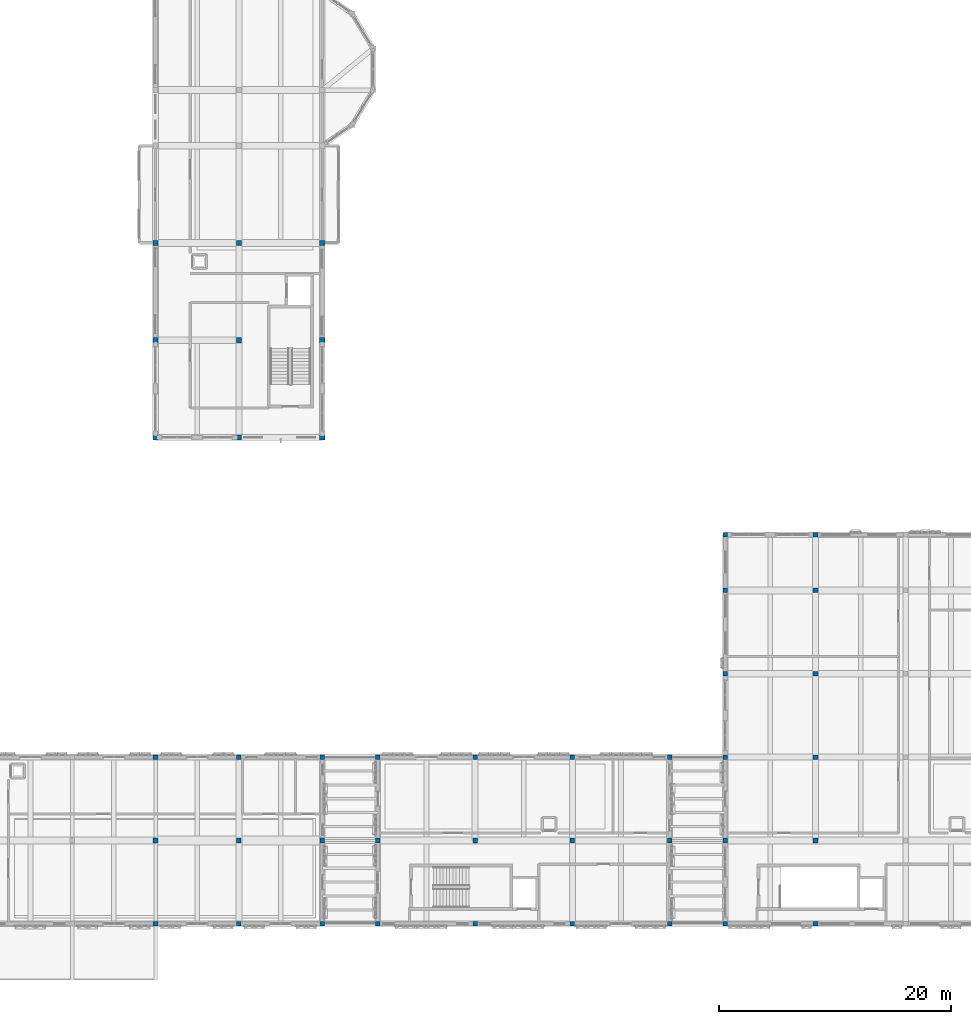
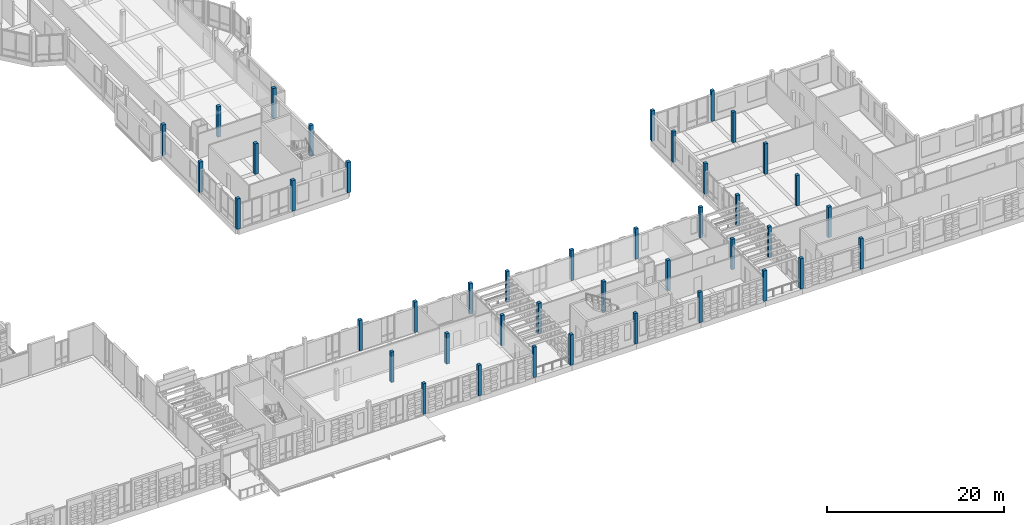
# One storey, part 5 of 99: 42 columns.
"""IFC4 building model written with IfcOpenShell, lengths in metres."""

import ifcopenshell
import ifcopenshell.guid

model = None  # the IFC model being written
_history = None  # IfcOwnerHistory: only IFC2X3 demands one
_inside = {}  # id of a spatial element -> (the spatial element, [elements in it])
_under = {}  # id of a project, library or spatial element -> (it, [spatial elements below it])
_declared = {}  # id of a project -> (the project, [libraries it declares])
_typed = {}  # id of a type object -> (the type object, [elements of that type])
_made_of = {}  # id of a material, layer set ... -> (it, [elements and type objects made of it])


def new_model(schema):
    """Start an empty IFC model of exactly this schema.

    Asked for "IFC4X3", IfcOpenShell would pick the latest addendum, in which some entities
    have other attributes; the version numbers below select the first issue.
    IFC2X3 requires an IfcOwnerHistory on every rooted entity: one is made here for all.
    """
    global model, _history
    if schema == "IFC4X3":
        model = ifcopenshell.file(schema_version=(4, 3, 0, 0))
    else:
        model = ifcopenshell.file(schema=schema)
    _inside.clear()
    _under.clear()
    _declared.clear()
    _typed.clear()
    _made_of.clear()
    _history = None
    if model.schema == "IFC2X3":
        org = make("IfcOrganization", Name="unknown")
        user = make(
            "IfcPersonAndOrganization",
            ThePerson=make("IfcPerson", FamilyName="unknown"),
            TheOrganization=org,
        )
        app = make(
            "IfcApplication",
            ApplicationDeveloper=org,
            Version="unknown",
            ApplicationFullName="unknown",
            ApplicationIdentifier="unknown",
        )
        _history = make(
            "IfcOwnerHistory",
            OwningUser=user,
            OwningApplication=app,
            ChangeAction="ADDED",
            CreationDate=0,
        )
    return model


def make(cls, **values):
    """One entity of the class cls with the attributes given. An attribute that is None is left unset."""
    return model.create_entity(
        cls, **{name: value for name, value in values.items() if value is not None}
    )


def rooted(cls, **values):
    """An entity with a GlobalId (a new one), such as an element, a storey or a relation."""
    return make(cls, GlobalId=ifcopenshell.guid.new(), OwnerHistory=_history, **values)


def si_unit(unit_type, name, prefix=None):
    """IfcSIUnit, for example si_unit("LENGTHUNIT", "METRE", prefix="MILLI")."""
    return make("IfcSIUnit", UnitType=unit_type, Prefix=prefix, Name=name)


def assignment(units):
    """IfcUnitAssignment: the units of a project."""
    return None if units is None else make("IfcUnitAssignment", Units=units)


def point(xyz):
    """IfcCartesianPoint."""
    return None if xyz is None else make("IfcCartesianPoint", Coordinates=xyz)


def direction(xyz):
    """IfcDirection."""
    return None if xyz is None else make("IfcDirection", DirectionRatios=xyz)


def frame(location, z_axis=None, x_axis=None):
    """IfcAxis2Placement3D, a coordinate frame: its origin and axes. An axis left out is left unset."""
    return make(
        "IfcAxis2Placement3D",
        Location=point(location),
        Axis=direction(z_axis),
        RefDirection=direction(x_axis),
    )


def frame_2d(location, x_axis=None):
    """IfcAxis2Placement2D, a coordinate frame in the plane: its origin and x axis."""
    return make(
        "IfcAxis2Placement2D", Location=point(location), RefDirection=direction(x_axis)
    )


def origin():
    """The frame at (0, 0, 0) with its axes left unset."""
    return frame((0.0, 0.0, 0.0))


def origin_2d():
    """The frame at (0, 0) in the plane with its x axis left unset."""
    return frame_2d((0.0, 0.0))


def place(relative_to, where):
    """IfcLocalPlacement: puts the frame where relative to a parent placement (None: the world)."""
    return make(
        "IfcLocalPlacement", PlacementRelTo=relative_to, RelativePlacement=where
    )


def context(
    kind, dimensions, precision=None, world=None, true_north=None, identifier=None
):
    """IfcGeometricRepresentationContext, for example the 3D "Model" context."""
    return make(
        "IfcGeometricRepresentationContext",
        ContextIdentifier=identifier,
        ContextType=kind,
        CoordinateSpaceDimension=dimensions,
        Precision=precision,
        WorldCoordinateSystem=world,
        TrueNorth=true_north,
    )


def subcontext(parent, identifier, kind, view, scale=None):
    """IfcGeometricRepresentationSubContext, for example "Body" below "Model"."""
    return make(
        "IfcGeometricRepresentationSubContext",
        ContextIdentifier=identifier,
        ContextType=kind,
        ParentContext=parent,
        TargetScale=scale,
        TargetView=view,
    )


def project(units=None, contexts=None):
    """IfcProject with its units and contexts."""
    return rooted(
        "IfcProject",
        Name="project",
        RepresentationContexts=contexts,
        UnitsInContext=assignment(units),
    )


def spatial(cls, under=None, at=None, **own):
    """A site, building, storey or space (cls), placed at a placement, below another one or the project."""
    s = rooted(cls, ObjectPlacement=at, **own)
    if under is not None:
        _under.setdefault(under.id(), (under, []))[1].append(s)
    return s


def profile(cls, at=None, kind="AREA", **sizes):
    """A parametric profile (cls). Its sizes go by their IFC names, for example OverallWidth=200.0."""
    return make(cls, ProfileType=kind, Position=at, **sizes)


def rectangle(**sizes):
    """IfcRectangleProfileDef."""
    return profile("IfcRectangleProfileDef", **sizes)


def extrude(swept, where, along, depth):
    """IfcExtrudedAreaSolid: the profile swept, set in the frame where, extruded along a direction by depth."""
    return make(
        "IfcExtrudedAreaSolid",
        SweptArea=swept,
        Position=where,
        ExtrudedDirection=direction(along),
        Depth=depth,
    )


def shape(context_of_items, identifier, shape_type, items):
    """IfcShapeRepresentation: the items that make up one representation, for example the "Body"."""
    return make(
        "IfcShapeRepresentation",
        ContextOfItems=context_of_items,
        RepresentationIdentifier=identifier,
        RepresentationType=shape_type,
        Items=items,
    )


def material(Name=None, Category=None):
    """IfcMaterial."""
    return make("IfcMaterial", Name=Name, Category=Category)


def material_profile(
    of_material, cross_section, Name=None, Category=None, Priority=None
):
    """IfcMaterialProfile: a cross section and its material."""
    return make(
        "IfcMaterialProfile",
        Name=Name,
        Material=of_material,
        Profile=cross_section,
        Priority=Priority,
        Category=Category,
    )


def profile_set(profiles, Name=None, composite=None):
    """IfcMaterialProfileSet."""
    return make(
        "IfcMaterialProfileSet",
        Name=Name,
        MaterialProfiles=profiles,
        CompositeProfile=composite,
    )


def made_of(thing, what):
    """Note that an element or type object is made of a material, layer set ...; save() writes the relation."""
    if what is not None:
        _made_of.setdefault(what.id(), (what, []))[1].append(thing)
    return thing


def type_object(cls, material=None, **own):
    """A type object (cls), such as IfcWallType, which elements share."""
    return made_of(rooted(cls, **own), material)


def element(
    cls,
    number,
    at=None,
    inside=None,
    cuts=None,
    type_object=None,
    material=None,
    context=None,
    identifier="Body",
    shape_type=None,
    held_by="IfcProductDefinitionShape",
    body=None,
    shapes=None,
    **own,
):
    """One element of the class cls, such as IfcWall. Its Tag is "e" and its number.

    at: its placement. inside: the storey or other place that contains it. cuts: it is an
    opening in that element (IfcRelVoidsElement). A single representation is given by context,
    identifier, shape_type and body (its items); several are given by shapes. held_by: the class
    of the entity that holds the representations. save() writes the other relations.
    """
    e = rooted(cls, Tag="e%d" % number, ObjectPlacement=at, **own)
    if body is not None:
        shapes = [shape(context, identifier, shape_type, body)]
    if shapes is not None:
        e.Representation = make(held_by, Representations=shapes)
    if inside is not None:
        _inside.setdefault(inside.id(), (inside, []))[1].append(e)
    if cuts is not None:
        rooted(
            "IfcRelVoidsElement", RelatingBuildingElement=cuts, RelatedOpeningElement=e
        )
    if type_object is not None:
        _typed.setdefault(type_object.id(), (type_object, []))[1].append(e)
    return made_of(e, material)


def aggregate(whole, parts):
    """IfcRelAggregates: a whole, such as a stair, and the parts it consists of."""
    return rooted("IfcRelAggregates", RelatingObject=whole, RelatedObjects=parts)


def save(model, path):
    """Write the relations noted so far, then the file.

    IfcRelAggregates (storeys below a building ...), IfcRelContainedInSpatialStructure (elements
    in a storey), IfcRelDefinesByType, IfcRelAssociatesMaterial and IfcRelDeclares: one each for
    every whole, place, type object, material and project.
    """
    for whole, parts in _under.values():
        aggregate(whole, parts)
    for where, things in _inside.values():
        rooted(
            "IfcRelContainedInSpatialStructure",
            RelatedElements=things,
            RelatingStructure=where,
        )
    for kind, things in _typed.values():
        rooted("IfcRelDefinesByType", RelatedObjects=things, RelatingType=kind)
    for what, things in _made_of.values():
        rooted("IfcRelAssociatesMaterial", RelatedObjects=things, RelatingMaterial=what)
    for by, libraries in _declared.values():
        rooted("IfcRelDeclares", RelatingContext=by, RelatedDefinitions=libraries)
    model.write(path)


model = new_model("IFC4")

# Units and contexts
model_context = context("Model", 3, precision=1e-05, world=origin(), true_north=direction((0.0, 1.0)))
body_context = subcontext(model_context, "Body", "Model", "MODEL_VIEW")
ifc_project = project(units=[si_unit("LENGTHUNIT", "METRE"), si_unit("AREAUNIT", "SQUARE_METRE"), si_unit("VOLUMEUNIT", "CUBIC_METRE"), si_unit("PLANEANGLEUNIT", "RADIAN"), si_unit("MASSUNIT", "GRAM", prefix="KILO")], contexts=[model_context])

# Site, building, storey
site_placement = place(None, origin())
site = spatial("IfcSite", under=ifc_project, at=site_placement, CompositionType="ELEMENT")
building_placement = place(site_placement, origin())
building = spatial("IfcBuilding", under=site, at=building_placement, Name="Kahlenmark Community Centre", CompositionType="ELEMENT")
storey_placement = place(building_placement, frame((0.0, 0.0, 5.39990234375)))
storey = spatial("IfcBuildingStorey", under=building, at=storey_placement, Name="L01", CompositionType="ELEMENT", Elevation=5.39990234375)

# Columns
ifc_material = material(Name="Glulam GL32h", Category="wood")
ifc_material_profile_1 = material_profile(ifc_material, rectangle(XDim=0.39990234375, YDim=0.39990234375, at=origin_2d()), Name="GL32h 400x400")
ifc_profile_set_1 = profile_set([ifc_material_profile_1], Name="Glulam GL32h")
column_type_1 = type_object("IfcColumnType", Name="CT-GL400", PredefinedType="COLUMN", material=ifc_profile_set_1)
for number, where, z_axis, x_axis, name in (
    (1, (72.39990234375, 8.800048828125, 0.0), (0.0, 0.0, 1.0), (1.0, 0.0, 0.0), "L01 column (72.4, 8.8)"),
    (2, (72.39990234375, 16.0, 0.0), (0.0, 0.0, 1.0), (1.0, 0.0, 0.0), "L01 column (72.4, 16.0)"),
    (3, (72.39990234375, 23.199951171875, 0.0), (0.0, 0.0, 1.0), (1.0, 0.0, 0.0), "L01 column (72.4, 23.2)"),
    (4, (79.60009765625, 8.800048828125, 0.0), (0.0, 0.0, 1.0), (1.0, 0.0, 0.0), "L01 column (79.6, 8.8)"),
    (5, (79.60009765625, 16.0, 0.0), (0.0, 0.0, 1.0), (1.0, 0.0, 0.0), "L01 column (79.6, 16.0)"),
    (6, (79.60009765625, 23.199951171875, 0.0), (0.0, 0.0, 1.0), (1.0, 0.0, 0.0), "L01 column (79.6, 23.2)"),
    (7, (86.800048828125, 8.800048828125, 0.0), (0.0, 0.0, 1.0), (1.0, 0.0, 0.0), "L01 column (86.8, 8.8)"),
    (8, (86.800048828125, 16.0, 0.0), (0.0, 0.0, 1.0), (1.0, 0.0, 0.0), "L01 column (86.8, 16.0)"),
    (9, (86.800048828125, 23.199951171875, 0.0), (0.0, 0.0, 1.0), (1.0, 0.0, 0.0), "L01 column (86.8, 23.2)"),
    (10, (91.60009765625, 8.800048828125, 0.0), (0.0, 0.0, 1.0), (1.0, 0.0, 0.0), "L01 column (91.6, 8.8)"),
    (11, (91.60009765625, 16.0, 0.0), (0.0, 0.0, 1.0), (1.0, 0.0, 0.0), "L01 column (91.6, 16.0)"),
    (12, (91.60009765625, 23.199951171875, 0.0), (0.0, 0.0, 1.0), (1.0, 0.0, 0.0), "L01 column (91.6, 23.2)"),
    (13, (100.0, 8.800048828125, 0.0), (0.0, 0.0, 1.0), (1.0, 0.0, 0.0), "L01 column (100.0, 8.8)"),
    (14, (100.0, 16.0, 0.0), (0.0, 0.0, 1.0), (1.0, 0.0, 0.0), "L01 column (100.0, 16.0)"),
    (15, (100.0, 23.199951171875, 0.0), (0.0, 0.0, 1.0), (1.0, 0.0, 0.0), "L01 column (100.0, 23.2)"),
    (16, (108.39990234375, 8.800048828125, 0.0), (0.0, 0.0, 1.0), (1.0, 0.0, 0.0), "L01 column (108.4, 8.8)"),
    (17, (108.39990234375, 16.0, 0.0), (0.0, 0.0, 1.0), (1.0, 0.0, 0.0), "L01 column (108.4, 16.0)"),
    (18, (108.39990234375, 23.199951171875, 0.0), (0.0, 0.0, 1.0), (1.0, 0.0, 0.0), "L01 column (108.4, 23.2)"),
    (19, (116.800048828125, 8.800048828125, 0.0), (0.0, 0.0, 1.0), (1.0, 0.0, 0.0), "L01 column (116.8, 8.8)"),
    (20, (116.800048828125, 16.0, 0.0), (0.0, 0.0, 1.0), (1.0, 0.0, 0.0), "L01 column (116.8, 16.0)"),
    (21, (116.800048828125, 23.199951171875, 0.0), (0.0, 0.0, 1.0), (1.0, 0.0, 0.0), "L01 column (116.8, 23.2)"),
    (22, (121.60009765625, 8.800048828125, 0.0), (0.0, 0.0, 1.0), (1.0, 0.0, 0.0), "L01 column (121.6, 8.8)"),
    (23, (121.60009765625, 16.0, 0.0), (0.0, 0.0, 1.0), (1.0, 0.0, 0.0), "L01 column (121.6, 16.0)"),
    (24, (121.60009765625, 23.199951171875, 0.0), (0.0, 0.0, 1.0), (1.0, 0.0, 0.0), "L01 column (121.6, 23.2)"),
    (25, (121.60009765625, 30.39990234375, 0.0), (0.0, 0.0, 1.0), (1.0, 0.0, 0.0), "L01 column (121.6, 30.4)"),
    (26, (121.60009765625, 37.60009765625, 0.0), (0.0, 0.0, 1.0), (1.0, 0.0, 0.0), "L01 column (121.6, 37.6)"),
    (27, (121.60009765625, 42.39990234375, 0.0), (0.0, 0.0, 1.0), (1.0, 0.0, 0.0), "L01 column (121.6, 42.4)"),
    (28, (129.39990234375, 8.800048828125, 0.0), (0.0, 0.0, 1.0), (1.0, 0.0, 0.0), "L01 column (129.4, 8.8)"),
    (29, (129.39990234375, 16.0, 0.0), (0.0, 0.0, 1.0), (1.0, 0.0, 0.0), "L01 column (129.4, 16.0)"),
    (30, (129.39990234375, 23.199951171875, 0.0), (0.0, 0.0, 1.0), (1.0, 0.0, 0.0), "L01 column (129.4, 23.2)"),
    (31, (129.39990234375, 30.39990234375, 0.0), (0.0, 0.0, 1.0), (1.0, 0.0, 0.0), "L01 column (129.4, 30.4)"),
    (32, (129.39990234375, 37.60009765625, 0.0), (0.0, 0.0, 1.0), (1.0, 0.0, 0.0), "L01 column (129.4, 37.6)"),
    (33, (129.39990234375, 42.39990234375, 0.0), (0.0, 0.0, 1.0), (1.0, 0.0, 0.0), "L01 column (129.4, 42.4)"),
):
    element("IfcColumn", number, at=place(storey_placement, frame(where, z_axis=z_axis, x_axis=x_axis)), inside=storey, type_object=column_type_1, Name=name, PredefinedType="COLUMN", context=body_context, shape_type="SweptSolid", body=[
        extrude(rectangle(XDim=0.39990234375, YDim=0.39990234375, at=origin_2d()), origin(), (0.0, 0.0, 1.0), 4.2001953125),
    ])
ifc_material_profile_2 = material_profile(ifc_material, rectangle(XDim=0.43994140625, YDim=0.43994140625, at=origin_2d()), Name="GL32h 440x440")
ifc_profile_set_2 = profile_set([ifc_material_profile_2], Name="Glulam GL32h")
column_type_2 = type_object("IfcColumnType", Name="CT-GL440", PredefinedType="COLUMN", material=ifc_profile_set_2)
for number, where, z_axis, x_axis, name in (
    (34, (72.39990234375, 50.800048828125, 0.0), (0.0, 0.0, 1.0), (1.0, 0.0, 0.0), "L01 column (72.4, 50.8)"),
    (35, (72.39990234375, 59.199951171875, 0.0), (0.0, 0.0, 1.0), (1.0, 0.0, 0.0), "L01 column (72.4, 59.2)"),
    (36, (72.39990234375, 67.60009765625, 0.0), (0.0, 0.0, 1.0), (1.0, 0.0, 0.0), "L01 column (72.4, 67.6)"),
    (37, (79.60009765625, 50.800048828125, 0.0), (0.0, 0.0, 1.0), (1.0, 0.0, 0.0), "L01 column (79.6, 50.8)"),
    (38, (79.60009765625, 59.199951171875, 0.0), (0.0, 0.0, 1.0), (1.0, 0.0, 0.0), "L01 column (79.6, 59.2)"),
    (39, (79.60009765625, 67.60009765625, 0.0), (0.0, 0.0, 1.0), (1.0, 0.0, 0.0), "L01 column (79.6, 67.6)"),
    (40, (86.800048828125, 50.800048828125, 0.0), (0.0, 0.0, 1.0), (1.0, 0.0, 0.0), "L01 column (86.8, 50.8)"),
    (41, (86.800048828125, 59.199951171875, 0.0), (0.0, 0.0, 1.0), (1.0, 0.0, 0.0), "L01 column (86.8, 59.2)"),
    (42, (86.800048828125, 67.60009765625, 0.0), (0.0, 0.0, 1.0), (1.0, 0.0, 0.0), "L01 column (86.8, 67.6)"),
):
    element("IfcColumn", number, at=place(storey_placement, frame(where, z_axis=z_axis, x_axis=x_axis)), inside=storey, type_object=column_type_2, Name=name, PredefinedType="COLUMN", context=body_context, shape_type="SweptSolid", body=[
        extrude(rectangle(XDim=0.43994140625, YDim=0.43994140625, at=origin_2d()), origin(), (0.0, 0.0, 1.0), 4.2001953125),
    ])

save(model, "model.ifc")
